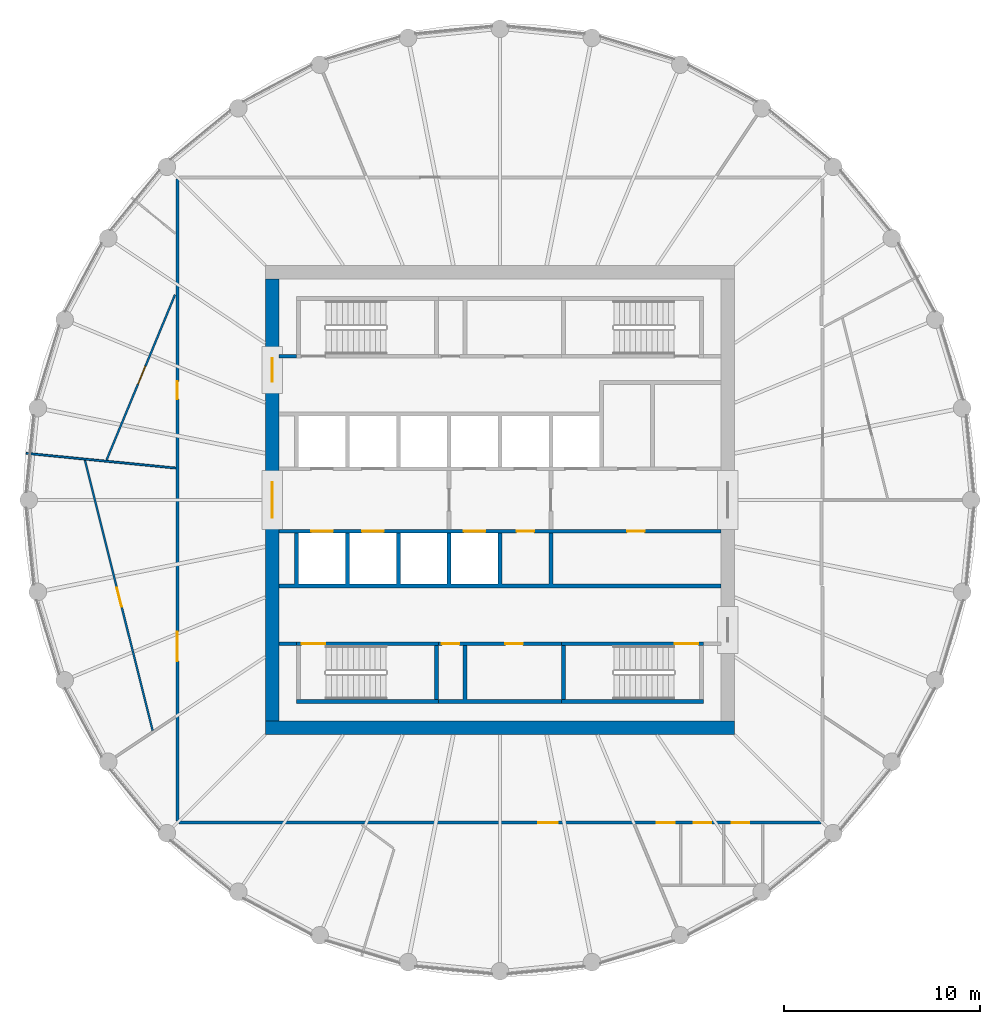
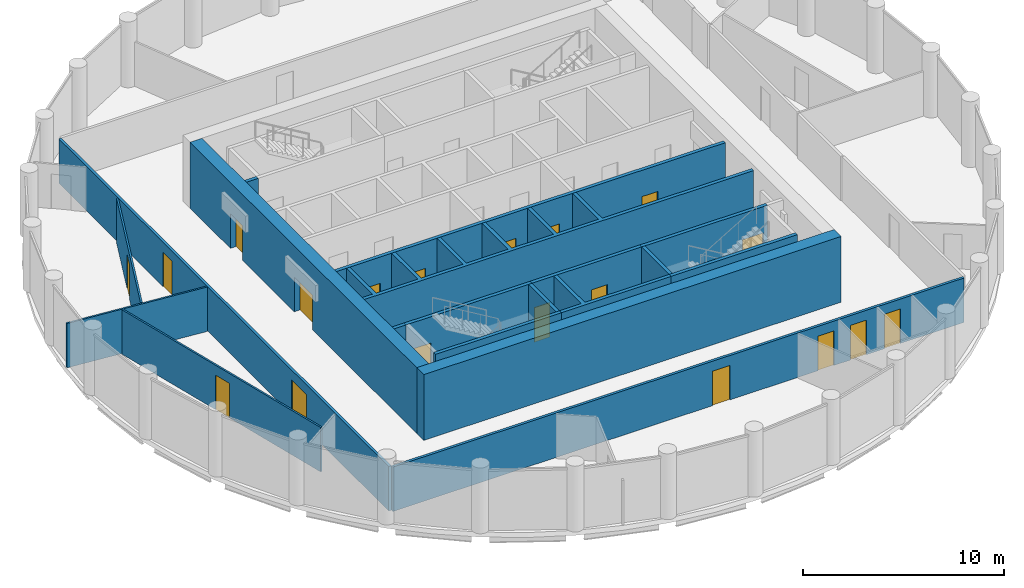
# One storey, part 4 of 7: 19 doors, 19 walls, 19 openings.
"""IFC4 building model written with IfcOpenShell, lengths in metres."""

from ifc_helpers import new_model, si_unit, direction, frame, frame_2d, origin, place, context, subcontext, project, spatial, polyline, rectangle, outline, extrude, material, layer, layer_set, type_object, element, fill, save


model = new_model("IFC4")

# Units and contexts
model_context = context("Model", 3, precision=1e-05, world=origin(), true_north=direction((0.0, 1.0)))
body_context = subcontext(model_context, "Body", "Model", "MODEL_VIEW")
ifc_project = project(units=[si_unit("LENGTHUNIT", "METRE"), si_unit("AREAUNIT", "SQUARE_METRE"), si_unit("VOLUMEUNIT", "CUBIC_METRE"), si_unit("PLANEANGLEUNIT", "RADIAN"), si_unit("MASSUNIT", "GRAM", prefix="KILO")], contexts=[model_context])

# Site, building, storey
site_placement = place(None, origin())
site = spatial("IfcSite", under=ifc_project, at=site_placement, CompositionType="ELEMENT")
building_placement = place(site_placement, origin())
building = spatial("IfcBuilding", under=site, at=building_placement, Name="Corvane Civic Tower", CompositionType="ELEMENT")
storey_placement = place(building_placement, frame((0.0, 0.0, 271.0)))
storey = spatial("IfcBuildingStorey", under=building, at=storey_placement, Name="L64", CompositionType="ELEMENT", Elevation=271.0)

# Wall
ifc_material_1 = material(Name="Concrete C40/50", Category="concrete")
ifc_layer_1 = layer(ifc_material_1, 0.699951171875)
ifc_layer_set_1 = layer_set([ifc_layer_1], Name="Concrete C40/50")
wall_type_1 = type_object("IfcWallType", Name="CORE WALL 700 C40/50", PredefinedType="SHEAR", material=ifc_layer_set_1)
wall_1_placement = place(storey_placement, frame((-12.0, -11.64990234375, 0.0), z_axis=(0.0, 0.0, 1.0), x_axis=(1.0, 0.0, 0.0)))
element("IfcWall", 1, at=wall_1_placement, inside=storey, type_object=wall_type_1, Name="W-L64-core-S", PredefinedType="SHEAR", context=body_context, shape_type="SweptSolid", body=[
    extrude(rectangle(XDim=24.0, YDim=0.699951171875, at=frame_2d((12.0, 0.0))), origin(), (0.0, 0.0, 1.0), 4.0),
])

# Wall, openings, doors
wall_2_placement = place(storey_placement, frame((-11.64990234375, -11.300048828125, 0.0), z_axis=(0.0, 0.0, 1.0), x_axis=(0.0, 1.0, 0.0)))
wall_2 = element("IfcWall", 2, at=wall_2_placement, inside=storey, type_object=wall_type_1, Name="W-L64-core-W", PredefinedType="SHEAR", context=body_context, shape_type="SweptSolid", body=[
    extrude(rectangle(XDim=22.60009765625, YDim=0.699951171875, at=frame_2d((11.300048828125, 0.0))), origin(), (0.0, 0.0, 1.0), 4.0),
])
opening_1_placement = place(wall_2_placement, frame((10.39990234375, 0.0, 0.0)))
opening_1 = element("IfcOpeningElement", 3, at=opening_1_placement, cuts=wall_2, Name="Opening L64.C15", PredefinedType="OPENING", context=body_context, shape_type="SweptSolid", body=[
    extrude(rectangle(XDim=1.800048828125, YDim=2.10009765625, at=frame_2d((0.89990234375, 1.050048828125))), frame((0.0, 0.35986328125, 0.0), z_axis=(0.0, -1.0, 0.0), x_axis=(1.0, 0.0, 0.0)), (0.0, 0.0, 1.0), 0.719970703125),
])
opening_2_placement = place(wall_2_placement, frame((17.35009765625, 0.0, 0.0)))
opening_2 = element("IfcOpeningElement", 4, at=opening_2_placement, cuts=wall_2, Name="Opening L64.C17", PredefinedType="OPENING", context=body_context, shape_type="SweptSolid", body=[
    extrude(rectangle(XDim=1.199951171875, YDim=2.10009765625, at=frame_2d((0.60009765625, 1.050048828125))), frame((0.0, 0.35986328125, 0.0), z_axis=(0.0, -1.0, 0.0), x_axis=(1.0, 0.0, 0.0)), (0.0, 0.0, 1.0), 0.719970703125),
])
ifc_material_2 = material(Name="Steel fire door leaf", Category="steel")
door_type_1 = type_object("IfcDoorType", Name="CR-DOOR-CORE-1800", OperationType="DOUBLE_DOOR_SINGLE_SWING", PredefinedType="DOOR", material=ifc_material_2)
door_1_placement = place(opening_1_placement, origin())
door_1 = element("IfcDoor", 5, at=door_1_placement, inside=storey, type_object=door_type_1, Name="L64 door", OperationType="DOUBLE_DOOR_SINGLE_SWING", OverallHeight=2.10009765625, OverallWidth=1.800048828125, PredefinedType="DOOR", context=body_context, shape_type="SweptSolid", body=[
    extrude(rectangle(XDim=1.800048828125, YDim=2.10009765625, at=frame_2d((0.89990234375, 1.050048828125))), frame((0.0, 0.02490234375, 0.0), z_axis=(0.0, -1.0, 0.0), x_axis=(1.0, 0.0, 0.0)), (0.0, 0.0, 1.0), 0.050048828125),
])
fill(opening_1, door_1)
door_2_placement = place(opening_2_placement, origin())
door_2 = element("IfcDoor", 6, at=door_2_placement, inside=storey, type_object=door_type_1, Name="L64 door", OperationType="DOUBLE_DOOR_SINGLE_SWING", OverallHeight=2.10009765625, OverallWidth=1.199951171875, PredefinedType="DOOR", context=body_context, shape_type="SweptSolid", body=[
    extrude(rectangle(XDim=1.199951171875, YDim=2.10009765625, at=frame_2d((0.60009765625, 1.050048828125))), frame((0.0, 0.02490234375, 0.0), z_axis=(0.0, -1.0, 0.0), x_axis=(1.0, 0.0, 0.0)), (0.0, 0.0, 1.0), 0.050048828125),
])
fill(opening_2, door_2)

ifc_material_3 = material(Name="Concrete C30/37", Category="concrete")
ifc_layer_2 = layer(ifc_material_3, 0.199951171875)
ifc_layer_set_2 = layer_set([ifc_layer_2], Name="Concrete C30/37")
wall_type_2 = type_object("IfcWallType", Name="CR-WALL-200", PredefinedType="PARTITIONING", material=ifc_layer_set_2)
wall_3_placement = place(storey_placement, frame((-3.14990234375, -7.35009765625, 0.0), z_axis=(0.0, 0.0, 1.0), x_axis=(1.0, 0.0, 0.0)))
wall_3 = element("IfcWall", 7, at=wall_3_placement, inside=storey, type_object=wall_type_2, Name="L64 core partition wall", PredefinedType="PARTITIONING", context=body_context, shape_type="SweptSolid", body=[
    extrude(rectangle(XDim=6.2998046875, YDim=0.199951171875, at=frame_2d((3.14990234375, 0.0))), origin(), (0.0, 0.0, 1.0), 3.699951171875),
])
opening_3_placement = place(wall_3_placement, frame((0.175048828125, 0.0, 0.0)))
opening_3 = element("IfcOpeningElement", 8, at=opening_3_placement, cuts=wall_3, Name="Opening L64.C07", PredefinedType="OPENING", context=body_context, shape_type="SweptSolid", body=[
    extrude(rectangle(XDim=0.89990234375, YDim=2.10009765625, at=frame_2d((0.449951171875, 1.050048828125))), frame((0.0, 0.10986328125, 0.0), z_axis=(0.0, -1.0, 0.0), x_axis=(1.0, 0.0, 0.0)), (0.0, 0.0, 1.0), 0.219970703125),
])
opening_4_placement = place(wall_3_placement, frame((3.425048828125, 0.0, 0.0)))
opening_4 = element("IfcOpeningElement", 9, at=opening_4_placement, cuts=wall_3, Name="Opening L64.C08", PredefinedType="OPENING", context=body_context, shape_type="SweptSolid", body=[
    extrude(rectangle(XDim=0.89990234375, YDim=2.10009765625, at=frame_2d((0.449951171875, 1.050048828125))), frame((0.0, 0.10986328125, 0.0), z_axis=(0.0, -1.0, 0.0), x_axis=(1.0, 0.0, 0.0)), (0.0, 0.0, 1.0), 0.219970703125),
])
ifc_material_4 = material(Name="Steel fire door leaf", Category="steel")
door_type_2 = type_object("IfcDoorType", Name="CR-DOOR-900", OperationType="SINGLE_SWING_LEFT", PredefinedType="DOOR", material=ifc_material_4)
door_3_placement = place(opening_3_placement, origin())
door_3 = element("IfcDoor", 10, at=door_3_placement, inside=storey, type_object=door_type_2, Name="L64 door", OperationType="SINGLE_SWING_LEFT", OverallHeight=2.10009765625, OverallWidth=0.89990234375, PredefinedType="DOOR", context=body_context, shape_type="SweptSolid", body=[
    extrude(rectangle(XDim=0.89990234375, YDim=2.10009765625, at=frame_2d((0.449951171875, 1.050048828125))), frame((0.0, 0.02490234375, 0.0), z_axis=(0.0, -1.0, 0.0), x_axis=(1.0, 0.0, 0.0)), (0.0, 0.0, 1.0), 0.050048828125),
])
fill(opening_3, door_3)
door_4_placement = place(opening_4_placement, origin())
door_4 = element("IfcDoor", 11, at=door_4_placement, inside=storey, type_object=door_type_2, Name="L64 door", OperationType="SINGLE_SWING_LEFT", OverallHeight=2.10009765625, OverallWidth=0.89990234375, PredefinedType="DOOR", context=body_context, shape_type="SweptSolid", body=[
    extrude(rectangle(XDim=0.89990234375, YDim=2.10009765625, at=frame_2d((0.449951171875, 1.050048828125))), frame((0.0, 0.02490234375, 0.0), z_axis=(0.0, -1.0, 0.0), x_axis=(1.0, 0.0, 0.0)), (0.0, 0.0, 1.0), 0.050048828125),
])
fill(opening_4, door_4)

wall_4_placement = place(storey_placement, frame((-11.300048828125, -1.60009765625, 0.0), z_axis=(0.0, 0.0, 1.0), x_axis=(1.0, 0.0, 0.0)))
wall_4 = element("IfcWall", 12, at=wall_4_placement, inside=storey, type_object=wall_type_2, Name="L64 lift shaft wall", PredefinedType="PARTITIONING", context=body_context, shape_type="SweptSolid", body=[
    extrude(rectangle(XDim=22.60009765625, YDim=0.199951171875, at=frame_2d((11.300048828125, 0.0))), origin(), (0.0, 0.0, 1.0), 3.699951171875),
])
opening_5_placement = place(wall_4_placement, frame((1.64990234375, 0.0, 0.0)))
opening_5 = element("IfcOpeningElement", 13, at=opening_5_placement, cuts=wall_4, Name="Opening LD", PredefinedType="OPENING", context=body_context, shape_type="SweptSolid", body=[
    extrude(rectangle(XDim=1.10009765625, YDim=2.10009765625, at=frame_2d((0.550048828125, 1.050048828125))), frame((0.0, 0.10986328125, 0.0), z_axis=(0.0, -1.0, 0.0), x_axis=(1.0, 0.0, 0.0)), (0.0, 0.0, 1.0), 0.219970703125),
])
opening_6_placement = place(wall_4_placement, frame((4.25, 0.0, 0.0)))
opening_6 = element("IfcOpeningElement", 14, at=opening_6_placement, cuts=wall_4, Name="Opening LD", PredefinedType="OPENING", context=body_context, shape_type="SweptSolid", body=[
    extrude(rectangle(XDim=1.10009765625, YDim=2.10009765625, at=frame_2d((0.550048828125, 1.050048828125))), frame((0.0, 0.10986328125, 0.0), z_axis=(0.0, -1.0, 0.0), x_axis=(1.0, 0.0, 0.0)), (0.0, 0.0, 1.0), 0.219970703125),
])
opening_7_placement = place(wall_4_placement, frame((9.449951171875, 0.0, 0.0)))
opening_7 = element("IfcOpeningElement", 15, at=opening_7_placement, cuts=wall_4, Name="Opening LD", PredefinedType="OPENING", context=body_context, shape_type="SweptSolid", body=[
    extrude(rectangle(XDim=1.10009765625, YDim=2.10009765625, at=frame_2d((0.550048828125, 1.050048828125))), frame((0.0, 0.10986328125, 0.0), z_axis=(0.0, -1.0, 0.0), x_axis=(1.0, 0.0, 0.0)), (0.0, 0.0, 1.0), 0.219970703125),
])
opening_8_placement = place(wall_4_placement, frame((12.14990234375, 0.0, 0.0)))
opening_8 = element("IfcOpeningElement", 16, at=opening_8_placement, cuts=wall_4, Name="Opening L64.C03", PredefinedType="OPENING", context=body_context, shape_type="SweptSolid", body=[
    extrude(rectangle(XDim=0.89990234375, YDim=2.10009765625, at=frame_2d((0.449951171875, 1.050048828125))), frame((0.0, 0.10986328125, 0.0), z_axis=(0.0, -1.0, 0.0), x_axis=(1.0, 0.0, 0.0)), (0.0, 0.0, 1.0), 0.219970703125),
])
opening_9_placement = place(wall_4_placement, frame((17.800048828125, 0.0, 0.0)))
opening_9 = element("IfcOpeningElement", 17, at=opening_9_placement, cuts=wall_4, Name="Opening L64.C04", PredefinedType="OPENING", context=body_context, shape_type="SweptSolid", body=[
    extrude(rectangle(XDim=0.89990234375, YDim=2.10009765625, at=frame_2d((0.449951171875, 1.050048828125))), frame((0.0, 0.10986328125, 0.0), z_axis=(0.0, -1.0, 0.0), x_axis=(1.0, 0.0, 0.0)), (0.0, 0.0, 1.0), 0.219970703125),
])
door_5_placement = place(opening_8_placement, origin())
door_5 = element("IfcDoor", 18, at=door_5_placement, inside=storey, type_object=door_type_2, Name="L64 door", OperationType="SINGLE_SWING_LEFT", OverallHeight=2.10009765625, OverallWidth=0.89990234375, PredefinedType="DOOR", context=body_context, shape_type="SweptSolid", body=[
    extrude(rectangle(XDim=0.89990234375, YDim=2.10009765625, at=frame_2d((0.449951171875, 1.050048828125))), frame((0.0, 0.02490234375, 0.0), z_axis=(0.0, -1.0, 0.0), x_axis=(1.0, 0.0, 0.0)), (0.0, 0.0, 1.0), 0.050048828125),
])
fill(opening_8, door_5)
door_6_placement = place(opening_9_placement, origin())
door_6 = element("IfcDoor", 19, at=door_6_placement, inside=storey, type_object=door_type_2, Name="L64 door", OperationType="SINGLE_SWING_LEFT", OverallHeight=2.10009765625, OverallWidth=0.89990234375, PredefinedType="DOOR", context=body_context, shape_type="SweptSolid", body=[
    extrude(rectangle(XDim=0.89990234375, YDim=2.10009765625, at=frame_2d((0.449951171875, 1.050048828125))), frame((0.0, 0.02490234375, 0.0), z_axis=(0.0, -1.0, 0.0), x_axis=(1.0, 0.0, 0.0)), (0.0, 0.0, 1.0), 0.050048828125),
])
fill(opening_9, door_6)
ifc_material_5 = material(Name="Stainless steel 316 door leaves", Category="steel")
door_type_3 = type_object("IfcDoorType", Name="LD", OperationType="DOUBLE_DOOR_SLIDING", PredefinedType="DOOR", material=ifc_material_5)
door_7_placement = place(opening_5_placement, origin())
door_7 = element("IfcDoor", 20, at=door_7_placement, inside=storey, type_object=door_type_3, Name="L64 landing door", OperationType="DOUBLE_DOOR_SLIDING", OverallHeight=2.10009765625, OverallWidth=1.10009765625, PredefinedType="DOOR", context=body_context, shape_type="SweptSolid", body=[
    extrude(rectangle(XDim=1.10009765625, YDim=2.10009765625, at=frame_2d((0.550048828125, 1.050048828125))), frame((0.0, 0.02490234375, 0.0), z_axis=(0.0, -1.0, 0.0), x_axis=(1.0, 0.0, 0.0)), (0.0, 0.0, 1.0), 0.050048828125),
])
fill(opening_5, door_7)
door_8_placement = place(opening_6_placement, origin())
door_8 = element("IfcDoor", 21, at=door_8_placement, inside=storey, type_object=door_type_3, Name="L64 landing door", OperationType="DOUBLE_DOOR_SLIDING", OverallHeight=2.10009765625, OverallWidth=1.10009765625, PredefinedType="DOOR", context=body_context, shape_type="SweptSolid", body=[
    extrude(rectangle(XDim=1.10009765625, YDim=2.10009765625, at=frame_2d((0.550048828125, 1.050048828125))), frame((0.0, 0.02490234375, 0.0), z_axis=(0.0, -1.0, 0.0), x_axis=(1.0, 0.0, 0.0)), (0.0, 0.0, 1.0), 0.050048828125),
])
fill(opening_6, door_8)
door_9_placement = place(opening_7_placement, origin())
door_9 = element("IfcDoor", 22, at=door_9_placement, inside=storey, type_object=door_type_3, Name="L64 landing door", OperationType="DOUBLE_DOOR_SLIDING", OverallHeight=2.10009765625, OverallWidth=1.10009765625, PredefinedType="DOOR", context=body_context, shape_type="SweptSolid", body=[
    extrude(rectangle(XDim=1.10009765625, YDim=2.10009765625, at=frame_2d((0.550048828125, 1.050048828125))), frame((0.0, 0.02490234375, 0.0), z_axis=(0.0, -1.0, 0.0), x_axis=(1.0, 0.0, 0.0)), (0.0, 0.0, 1.0), 0.050048828125),
])
fill(opening_7, door_9)

# Walls
wall_5_placement = place(storey_placement, origin())
element("IfcWall", 23, at=wall_5_placement, inside=storey, type_object=wall_type_2, Name="L64 core partition wall", PredefinedType="PARTITIONING", context=body_context, shape_type="SweptSolid", body=[
    extrude(outline(polyline([(-10.39990234375, -7.449951171875), (-11.300048828125, -7.449951171875), (-11.300048828125, -7.25), (-10.39990234375, -7.25), (-10.39990234375, -7.449951171875)])), origin(), (0.0, 0.0, 1.0), 3.699951171875),
])
wall_6_placement = place(storey_placement, origin())
element("IfcWall", 24, at=wall_6_placement, inside=storey, type_object=wall_type_2, Name="L64 core partition wall", PredefinedType="PARTITIONING", context=body_context, shape_type="SweptSolid", body=[
    extrude(outline(polyline([(-10.39990234375, 7.25), (-11.300048828125, 7.25), (-11.300048828125, 7.449951171875), (-10.39990234375, 7.449951171875), (-10.39990234375, 7.25)])), origin(), (0.0, 0.0, 1.0), 3.699951171875),
])
wall_7_placement = place(storey_placement, origin())
element("IfcWall", 25, at=wall_7_placement, inside=storey, type_object=wall_type_2, Name="L64 core partition wall", PredefinedType="PARTITIONING", context=body_context, shape_type="SweptSolid", body=[
    extrude(outline(polyline([(-10.300048828125, -1.699951171875), (-10.300048828125, -4.300048828125), (-7.89990234375, -4.300048828125), (-7.89990234375, -1.699951171875), (-7.699951171875, -1.699951171875), (-7.699951171875, -4.300048828125), (-5.300048828125, -4.300048828125), (-5.300048828125, -1.699951171875), (-5.10009765625, -1.699951171875), (-5.10009765625, -4.300048828125), (-2.699951171875, -4.300048828125), (-2.699951171875, -1.699951171875), (-2.5, -1.699951171875), (-2.5, -4.300048828125), (-0.10009765625, -4.300048828125), (-0.10009765625, -1.699951171875), (0.10009765625, -1.699951171875), (0.10009765625, -4.300048828125), (2.5, -4.300048828125), (2.5, -1.699951171875), (2.699951171875, -1.699951171875), (2.699951171875, -4.300048828125), (11.300048828125, -4.300048828125), (11.300048828125, -4.5), (-11.300048828125, -4.5), (-11.300048828125, -4.300048828125), (-10.5, -4.300048828125), (-10.5, -1.699951171875), (-10.300048828125, -1.699951171875)])), origin(), (0.0, 0.0, 1.0), 3.699951171875),
])
wall_8_placement = place(storey_placement, origin())
element("IfcWall", 26, at=wall_8_placement, inside=storey, type_object=wall_type_2, Name="L64 core partition wall", PredefinedType="PARTITIONING", context=body_context, shape_type="SweptSolid", body=[
    extrude(outline(polyline([(-1.699951171875, -7.449951171875), (-1.699951171875, -10.199951171875), (3.14990234375, -10.199951171875), (3.14990234375, -10.39990234375), (-3.14990234375, -10.39990234375), (-3.14990234375, -10.199951171875), (-1.89990234375, -10.199951171875), (-1.89990234375, -7.449951171875), (-1.699951171875, -7.449951171875)])), origin(), (0.0, 0.0, 1.0), 3.699951171875),
])

# Wall, opening, door
ifc_material_6 = material(Name="Plasterboard")
ifc_layer_3 = layer(ifc_material_6, 0.10009765625)
ifc_layer_set_3 = layer_set([ifc_layer_3], Name="Plasterboard")
wall_type_3 = type_object("IfcWallType", Name="Partition 100 plasterboard on studs", PredefinedType="PARTITIONING", material=ifc_layer_set_3)
wall_9_placement = place(storey_placement, frame((-21.2265625, 2.0234375, 0.0), z_axis=(0.0, 0.0, 1.0), x_axis=(0.242975281305, -0.970032480216, 0.0)))
wall_9 = element("IfcWall", 27, at=wall_9_placement, inside=storey, type_object=wall_type_3, Name="Partition L64.013", PredefinedType="PARTITIONING", context=body_context, shape_type="SweptSolid", body=[
    extrude(rectangle(XDim=14.240966796875, YDim=0.10009765625, at=frame_2d((7.12060546875, 0.0))), origin(), (0.0, 0.0, 1.0), 2.699951171875),
])
opening_10_placement = place(wall_9_placement, frame((6.7099609375, 0.0, 0.0)))
opening_10 = element("IfcOpeningElement", 28, at=opening_10_placement, cuts=wall_9, Name="Opening L64.001", PredefinedType="OPENING", context=body_context, shape_type="SweptSolid", body=[
    extrude(rectangle(XDim=1.0, YDim=2.10009765625, at=frame_2d((0.5, 1.050048828125))), frame((0.0, 0.06005859375, 0.0), z_axis=(0.0, -1.0, 0.0), x_axis=(1.0, 0.0, 0.0)), (0.0, 0.0, 1.0), 0.1201171875),
])
ifc_material_7 = material(Name="Timber", Category="wood")
door_type_4 = type_object("IfcDoorType", Name="Single door 1000", OperationType="NOTDEFINED", PredefinedType="DOOR", material=ifc_material_7)
door_10_placement = place(opening_10_placement, frame((1.0, 0.0, 0.0), z_axis=(0.0, 0.0, 1.0), x_axis=(-1.0, 0.0, 0.0)))
door_10 = element("IfcDoor", 29, at=door_10_placement, inside=storey, type_object=door_type_4, Name="Door L64.001", OperationType="SINGLE_SWING_LEFT", OverallHeight=2.10009765625, OverallWidth=1.0, PredefinedType="DOOR", context=body_context, shape_type="SweptSolid", body=[
    extrude(rectangle(XDim=1.0, YDim=2.10009765625, at=frame_2d((0.5, 1.050048828125))), frame((0.0, 0.02490234375, 0.0), z_axis=(0.0, -1.0, 0.0), x_axis=(1.0, 0.0, 0.0)), (0.0, 0.0, 1.0), 0.050048828125),
])
fill(opening_10, door_10)

# Wall
wall_10_placement = place(storey_placement, frame((-24.23291015625, 2.38671875, 0.0), z_axis=(0.0, 0.0, 1.0), x_axis=(0.995185996344, -0.098004248276, 0.0)))
element("IfcWall", 30, at=wall_10_placement, inside=storey, type_object=wall_type_3, Name="Partition L64.018", PredefinedType="PARTITIONING", context=body_context, shape_type="SweptSolid", body=[
    extrude(rectangle(XDim=7.690185546875, YDim=0.10009765625, at=frame_2d((3.84521484375, 0.0))), origin(), (0.0, 0.0, 1.0), 2.699951171875),
])

# Wall, opening, door
wall_11_placement = place(storey_placement, frame((-20.1220703125, 2.046630859375, 0.0), z_axis=(0.0, 0.0, 1.0), x_axis=(0.382700628355, 0.923872409512, 0.0)))
wall_11 = element("IfcWall", 31, at=wall_11_placement, inside=storey, type_object=wall_type_3, Name="Partition L64.019", PredefinedType="PARTITIONING", context=body_context, shape_type="SweptSolid", body=[
    extrude(rectangle(XDim=9.148193359375, YDim=0.10009765625, at=frame_2d((4.57421875, 0.0))), origin(), (0.0, 0.0, 1.0), 2.699951171875),
])
opening_11_placement = place(wall_11_placement, frame((4.196044921875, 0.0, 0.0)))
opening_11 = element("IfcOpeningElement", 32, at=opening_11_placement, cuts=wall_11, Name="Opening L64.003", PredefinedType="OPENING", context=body_context, shape_type="SweptSolid", body=[
    extrude(rectangle(XDim=1.0, YDim=2.10009765625, at=frame_2d((0.5, 1.050048828125))), frame((0.0, 0.06005859375, 0.0), z_axis=(0.0, -1.0, 0.0), x_axis=(1.0, 0.0, 0.0)), (0.0, 0.0, 1.0), 0.1201171875),
])
door_11_placement = place(opening_11_placement, origin())
door_11 = element("IfcDoor", 33, at=door_11_placement, inside=storey, type_object=door_type_4, Name="Door L64.003", OperationType="SINGLE_SWING_RIGHT", OverallHeight=2.10009765625, OverallWidth=1.0, PredefinedType="DOOR", context=body_context, shape_type="SweptSolid", body=[
    extrude(rectangle(XDim=1.0, YDim=2.10009765625, at=frame_2d((0.5, 1.050048828125))), frame((0.0, 0.02490234375, 0.0), z_axis=(0.0, -1.0, 0.0), x_axis=(1.0, 0.0, 0.0)), (0.0, 0.0, 1.0), 0.050048828125),
])
fill(opening_11, door_11)

ifc_material_8 = material(Name="Concrete C50/60", Category="concrete")
ifc_layer_4 = layer(ifc_material_8, 0.199951171875)
ifc_layer_set_4 = layer_set([ifc_layer_4], Name="Concrete C50/60")
wall_type_4 = type_object("IfcWallType", Name="ST-WALL-200", PredefinedType="SHEAR", material=ifc_layer_set_4)
wall_12_placement = place(storey_placement, frame((-10.39990234375, -7.35009765625, 0.0), z_axis=(0.0, 0.0, 1.0), x_axis=(1.0, 0.0, 0.0)))
wall_12 = element("IfcWall", 34, at=wall_12_placement, inside=storey, type_object=wall_type_4, Name="L64 stair enclosure wall", PredefinedType="SHEAR", context=body_context, shape_type="SweptSolid", body=[
    extrude(rectangle(XDim=7.25, YDim=0.199951171875, at=frame_2d((3.625, 0.0))), origin(), (0.0, 0.0, 1.0), 3.699951171875),
])
opening_12_placement = place(wall_12_placement, frame((0.25, 0.0, 0.0)))
opening_12 = element("IfcOpeningElement", 35, at=opening_12_placement, cuts=wall_12, Name="Opening L64.C12", PredefinedType="OPENING", context=body_context, shape_type="SweptSolid", body=[
    extrude(rectangle(XDim=1.199951171875, YDim=2.10009765625, at=frame_2d((0.60009765625, 1.050048828125))), frame((0.0, 0.10986328125, 0.0), z_axis=(0.0, -1.0, 0.0), x_axis=(1.0, 0.0, 0.0)), (0.0, 0.0, 1.0), 0.219970703125),
])
ifc_material_9 = material(Name="Steel fire door leaf", Category="steel")
door_type_5 = type_object("IfcDoorType", Name="ST-DOOR-1200", OperationType="SINGLE_SWING_RIGHT", PredefinedType="DOOR", material=ifc_material_9)
door_12_placement = place(opening_12_placement, origin())
door_12 = element("IfcDoor", 36, at=door_12_placement, inside=storey, type_object=door_type_5, Name="L64 stair door", OperationType="SINGLE_SWING_RIGHT", OverallHeight=2.10009765625, OverallWidth=1.199951171875, PredefinedType="DOOR", context=body_context, shape_type="SweptSolid", body=[
    extrude(rectangle(XDim=1.199951171875, YDim=2.10009765625, at=frame_2d((0.60009765625, 1.050048828125))), frame((0.0, 0.02490234375, 0.0), z_axis=(0.0, -1.0, 0.0), x_axis=(1.0, 0.0, 0.0)), (0.0, 0.0, 1.0), 0.050048828125),
])
fill(opening_12, door_12)

wall_13_placement = place(storey_placement, frame((3.14990234375, -7.35009765625, 0.0), z_axis=(0.0, 0.0, 1.0), x_axis=(1.0, 0.0, 0.0)))
wall_13 = element("IfcWall", 37, at=wall_13_placement, inside=storey, type_object=wall_type_4, Name="L64 stair enclosure wall", PredefinedType="SHEAR", context=body_context, shape_type="SweptSolid", body=[
    extrude(rectangle(XDim=7.25, YDim=0.199951171875, at=frame_2d((3.625, 0.0))), origin(), (0.0, 0.0, 1.0), 3.699951171875),
])
opening_13_placement = place(wall_13_placement, frame((5.800048828125, 0.0, 0.0)))
opening_13 = element("IfcOpeningElement", 38, at=opening_13_placement, cuts=wall_13, Name="Opening L64.C11", PredefinedType="OPENING", context=body_context, shape_type="SweptSolid", body=[
    extrude(rectangle(XDim=1.199951171875, YDim=2.10009765625, at=frame_2d((0.60009765625, 1.050048828125))), frame((0.0, 0.10986328125, 0.0), z_axis=(0.0, -1.0, 0.0), x_axis=(1.0, 0.0, 0.0)), (0.0, 0.0, 1.0), 0.219970703125),
])
door_13_placement = place(opening_13_placement, origin())
door_13 = element("IfcDoor", 39, at=door_13_placement, inside=storey, type_object=door_type_5, Name="L64 stair door", OperationType="SINGLE_SWING_RIGHT", OverallHeight=2.10009765625, OverallWidth=1.199951171875, PredefinedType="DOOR", context=body_context, shape_type="SweptSolid", body=[
    extrude(rectangle(XDim=1.199951171875, YDim=2.10009765625, at=frame_2d((0.60009765625, 1.050048828125))), frame((0.0, 0.02490234375, 0.0), z_axis=(0.0, -1.0, 0.0), x_axis=(1.0, 0.0, 0.0)), (0.0, 0.0, 1.0), 0.050048828125),
])
fill(opening_13, door_13)

# Walls
wall_14_placement = place(storey_placement, origin())
element("IfcWall", 40, at=wall_14_placement, inside=storey, type_object=wall_type_4, Name="L64 stair enclosure wall", PredefinedType="SHEAR", context=body_context, shape_type="SweptSolid", body=[
    extrude(outline(polyline([(-3.14990234375, -10.199951171875), (-3.14990234375, -10.39990234375), (-10.39990234375, -10.39990234375), (-10.39990234375, -10.199951171875), (-3.14990234375, -10.199951171875)])), origin(), (0.0, 0.0, 1.0), 3.699951171875),
])
wall_15_placement = place(storey_placement, origin())
element("IfcWall", 41, at=wall_15_placement, inside=storey, type_object=wall_type_4, Name="L64 stair enclosure wall", PredefinedType="SHEAR", context=body_context, shape_type="SweptSolid", body=[
    extrude(outline(polyline([(10.39990234375, -10.39990234375), (3.14990234375, -10.39990234375), (3.14990234375, -10.199951171875), (10.39990234375, -10.199951171875), (10.39990234375, -10.39990234375)])), origin(), (0.0, 0.0, 1.0), 3.699951171875),
])
wall_16_placement = place(storey_placement, origin())
element("IfcWall", 42, at=wall_16_placement, inside=storey, type_object=wall_type_4, Name="L64 stair enclosure wall", PredefinedType="SHEAR", context=body_context, shape_type="SweptSolid", body=[
    extrude(outline(polyline([(-3.14990234375, -7.449951171875), (-3.14990234375, -10.199951171875), (-3.35009765625, -10.199951171875), (-3.35009765625, -7.449951171875), (-3.14990234375, -7.449951171875)])), origin(), (0.0, 0.0, 1.0), 3.699951171875),
])
wall_17_placement = place(storey_placement, origin())
element("IfcWall", 43, at=wall_17_placement, inside=storey, type_object=wall_type_4, Name="L64 stair enclosure wall", PredefinedType="SHEAR", context=body_context, shape_type="SweptSolid", body=[
    extrude(outline(polyline([(3.35009765625, -7.449951171875), (3.35009765625, -10.199951171875), (3.14990234375, -10.199951171875), (3.14990234375, -7.449951171875), (3.35009765625, -7.449951171875)])), origin(), (0.0, 0.0, 1.0), 3.699951171875),
])

# Wall, openings, doors
ifc_material_10 = material(Name="Plasterboard")
ifc_layer_5 = layer(ifc_material_10, 0.14990234375)
ifc_layer_set_5 = layer_set([ifc_layer_5], Name="Plasterboard")
wall_type_5 = type_object("IfcWallType", Name="Tenancy wall 150 EI 60", PredefinedType="PARTITIONING", material=ifc_layer_set_5)
wall_18_placement = place(storey_placement, frame((-16.425048828125, -16.5, 0.0), z_axis=(0.0, 0.0, 1.0), x_axis=(1.0, 0.0, 0.0)))
wall_18 = element("IfcWall", 44, at=wall_18_placement, inside=storey, type_object=wall_type_5, Name="Partition L64.008", PredefinedType="PARTITIONING", context=body_context, shape_type="SweptSolid", body=[
    extrude(rectangle(XDim=32.85009765625, YDim=0.14990234375, at=frame_2d((16.425048828125, 0.0))), origin(), (0.0, 0.0, 1.0), 2.699951171875),
])
opening_14_placement = place(wall_18_placement, frame((26.328125, 0.0, 0.0)))
opening_14 = element("IfcOpeningElement", 45, at=opening_14_placement, cuts=wall_18, Name="Opening L64.012", PredefinedType="OPENING", context=body_context, shape_type="SweptSolid", body=[
    extrude(rectangle(XDim=0.89990234375, YDim=2.10009765625, at=frame_2d((0.449951171875, 1.050048828125))), frame((0.0, 0.0849609375, 0.0), z_axis=(0.0, -1.0, 0.0), x_axis=(1.0, 0.0, 0.0)), (0.0, 0.0, 1.0), 0.169921875),
])
opening_15_placement = place(wall_18_placement, frame((28.281982421875, 0.0, 0.0)))
opening_15 = element("IfcOpeningElement", 46, at=opening_15_placement, cuts=wall_18, Name="Opening L64.013", PredefinedType="OPENING", context=body_context, shape_type="SweptSolid", body=[
    extrude(rectangle(XDim=0.89990234375, YDim=2.10009765625, at=frame_2d((0.449951171875, 1.050048828125))), frame((0.0, 0.0849609375, 0.0), z_axis=(0.0, -1.0, 0.0), x_axis=(1.0, 0.0, 0.0)), (0.0, 0.0, 1.0), 0.169921875),
])
opening_16_placement = place(wall_18_placement, frame((24.454833984375, 0.0, 0.0)))
opening_16 = element("IfcOpeningElement", 47, at=opening_16_placement, cuts=wall_18, Name="Opening L64.014", PredefinedType="OPENING", context=body_context, shape_type="SweptSolid", body=[
    extrude(rectangle(XDim=0.89990234375, YDim=2.10009765625, at=frame_2d((0.449951171875, 1.050048828125))), frame((0.0, 0.0849609375, 0.0), z_axis=(0.0, -1.0, 0.0), x_axis=(1.0, 0.0, 0.0)), (0.0, 0.0, 1.0), 0.169921875),
])
opening_17_placement = place(wall_18_placement, frame((18.39013671875, 0.0, 0.0)))
opening_17 = element("IfcOpeningElement", 48, at=opening_17_placement, cuts=wall_18, Name="Opening L64.015", PredefinedType="OPENING", context=body_context, shape_type="SweptSolid", body=[
    extrude(rectangle(XDim=1.0, YDim=2.10009765625, at=frame_2d((0.5, 1.050048828125))), frame((0.0, 0.0849609375, 0.0), z_axis=(0.0, -1.0, 0.0), x_axis=(1.0, 0.0, 0.0)), (0.0, 0.0, 1.0), 0.169921875),
])
ifc_material_11 = material(Name="Steel and timber", Category="steel")
door_type_6 = type_object("IfcDoorType", Name="Fire door FD30S 1000", OperationType="NOTDEFINED", PredefinedType="DOOR", material=ifc_material_11)
door_14_placement = place(opening_17_placement, frame((1.0, 0.0, 0.0), z_axis=(0.0, 0.0, 1.0), x_axis=(-1.0, 0.0, 0.0)))
door_14 = element("IfcDoor", 49, at=door_14_placement, inside=storey, type_object=door_type_6, Name="Door L64.015", OperationType="SINGLE_SWING_RIGHT", OverallHeight=2.10009765625, OverallWidth=1.0, PredefinedType="DOOR", context=body_context, shape_type="SweptSolid", body=[
    extrude(rectangle(XDim=1.0, YDim=2.10009765625, at=frame_2d((0.5, 1.050048828125))), frame((0.0, 0.02490234375, 0.0), z_axis=(0.0, -1.0, 0.0), x_axis=(1.0, 0.0, 0.0)), (0.0, 0.0, 1.0), 0.050048828125),
])
fill(opening_17, door_14)
ifc_material_12 = material(Name="Steel and timber", Category="steel")
door_type_7 = type_object("IfcDoorType", Name="Fire door FD30S 900", OperationType="NOTDEFINED", PredefinedType="DOOR", material=ifc_material_12)
door_15_placement = place(opening_14_placement, frame((0.89990234375, 0.0, 0.0), z_axis=(0.0, 0.0, 1.0), x_axis=(-1.0, 0.0, 0.0)))
door_15 = element("IfcDoor", 50, at=door_15_placement, inside=storey, type_object=door_type_7, Name="Door L64.012", OperationType="SINGLE_SWING_RIGHT", OverallHeight=2.10009765625, OverallWidth=0.89990234375, PredefinedType="DOOR", context=body_context, shape_type="SweptSolid", body=[
    extrude(rectangle(XDim=0.89990234375, YDim=2.10009765625, at=frame_2d((0.449951171875, 1.050048828125))), frame((0.0, 0.02490234375, 0.0), z_axis=(0.0, -1.0, 0.0), x_axis=(1.0, 0.0, 0.0)), (0.0, 0.0, 1.0), 0.050048828125),
])
fill(opening_14, door_15)
door_16_placement = place(opening_15_placement, frame((0.89990234375, 0.0, 0.0), z_axis=(0.0, 0.0, 1.0), x_axis=(-1.0, 0.0, 0.0)))
door_16 = element("IfcDoor", 51, at=door_16_placement, inside=storey, type_object=door_type_7, Name="Door L64.013", OperationType="SINGLE_SWING_LEFT", OverallHeight=2.10009765625, OverallWidth=0.89990234375, PredefinedType="DOOR", context=body_context, shape_type="SweptSolid", body=[
    extrude(rectangle(XDim=0.89990234375, YDim=2.10009765625, at=frame_2d((0.449951171875, 1.050048828125))), frame((0.0, 0.02490234375, 0.0), z_axis=(0.0, -1.0, 0.0), x_axis=(1.0, 0.0, 0.0)), (0.0, 0.0, 1.0), 0.050048828125),
])
fill(opening_15, door_16)
door_17_placement = place(opening_16_placement, frame((0.89990234375, 0.0, 0.0), z_axis=(0.0, 0.0, 1.0), x_axis=(-1.0, 0.0, 0.0)))
door_17 = element("IfcDoor", 52, at=door_17_placement, inside=storey, type_object=door_type_7, Name="Door L64.014", OperationType="SINGLE_SWING_LEFT", OverallHeight=2.10009765625, OverallWidth=0.89990234375, PredefinedType="DOOR", context=body_context, shape_type="SweptSolid", body=[
    extrude(rectangle(XDim=0.89990234375, YDim=2.10009765625, at=frame_2d((0.449951171875, 1.050048828125))), frame((0.0, 0.02490234375, 0.0), z_axis=(0.0, -1.0, 0.0), x_axis=(1.0, 0.0, 0.0)), (0.0, 0.0, 1.0), 0.050048828125),
])
fill(opening_16, door_17)

wall_19_placement = place(storey_placement, frame((-16.5, -16.425048828125, 0.0), z_axis=(0.0, 0.0, 1.0), x_axis=(0.0, 1.0, 0.0)))
wall_19 = element("IfcWall", 53, at=wall_19_placement, inside=storey, type_object=wall_type_5, Name="Partition L64.009", PredefinedType="PARTITIONING", context=body_context, shape_type="SweptSolid", body=[
    extrude(rectangle(XDim=32.85009765625, YDim=0.14990234375, at=frame_2d((16.425048828125, 0.0))), origin(), (0.0, 0.0, 1.0), 2.699951171875),
])
opening_18_placement = place(wall_19_placement, frame((8.18310546875, 0.0, 0.0)))
opening_18 = element("IfcOpeningElement", 54, at=opening_18_placement, cuts=wall_19, Name="Opening L64.002", PredefinedType="OPENING", context=body_context, shape_type="SweptSolid", body=[
    extrude(rectangle(XDim=1.5, YDim=2.10009765625, at=frame_2d((0.75, 1.050048828125))), frame((0.0, 0.0849609375, 0.0), z_axis=(0.0, -1.0, 0.0), x_axis=(1.0, 0.0, 0.0)), (0.0, 0.0, 1.0), 0.169921875),
])
opening_19_placement = place(wall_19_placement, frame((21.589111328125, 0.0, 0.0)))
opening_19 = element("IfcOpeningElement", 55, at=opening_19_placement, cuts=wall_19, Name="Opening L64.005", PredefinedType="OPENING", context=body_context, shape_type="SweptSolid", body=[
    extrude(rectangle(XDim=0.89990234375, YDim=2.10009765625, at=frame_2d((0.449951171875, 1.050048828125))), frame((0.0, 0.0849609375, 0.0), z_axis=(0.0, -1.0, 0.0), x_axis=(1.0, 0.0, 0.0)), (0.0, 0.0, 1.0), 0.169921875),
])
door_18_placement = place(opening_19_placement, origin())
door_18 = element("IfcDoor", 56, at=door_18_placement, inside=storey, type_object=door_type_7, Name="Door L64.005", OperationType="SINGLE_SWING_LEFT", OverallHeight=2.10009765625, OverallWidth=0.89990234375, PredefinedType="DOOR", context=body_context, shape_type="SweptSolid", body=[
    extrude(rectangle(XDim=0.89990234375, YDim=2.10009765625, at=frame_2d((0.449951171875, 1.050048828125))), frame((0.0, 0.02490234375, 0.0), z_axis=(0.0, -1.0, 0.0), x_axis=(1.0, 0.0, 0.0)), (0.0, 0.0, 1.0), 0.050048828125),
])
fill(opening_19, door_18)
ifc_material_13 = material(Name="Steel and timber", Category="steel")
door_type_8 = type_object("IfcDoorType", Name="Fire door FD60 double 1500", OperationType="NOTDEFINED", PredefinedType="DOOR", material=ifc_material_13)
door_19_placement = place(opening_18_placement, origin())
door_19 = element("IfcDoor", 57, at=door_19_placement, inside=storey, type_object=door_type_8, Name="Door L64.002", OperationType="DOUBLE_DOOR_SINGLE_SWING", OverallHeight=2.10009765625, OverallWidth=1.5, PredefinedType="DOOR", context=body_context, shape_type="SweptSolid", body=[
    extrude(rectangle(XDim=1.5, YDim=2.10009765625, at=frame_2d((0.75, 1.050048828125))), frame((0.0, 0.02490234375, 0.0), z_axis=(0.0, -1.0, 0.0), x_axis=(1.0, 0.0, 0.0)), (0.0, 0.0, 1.0), 0.050048828125),
])
fill(opening_18, door_19)

save(model, "model.ifc")
